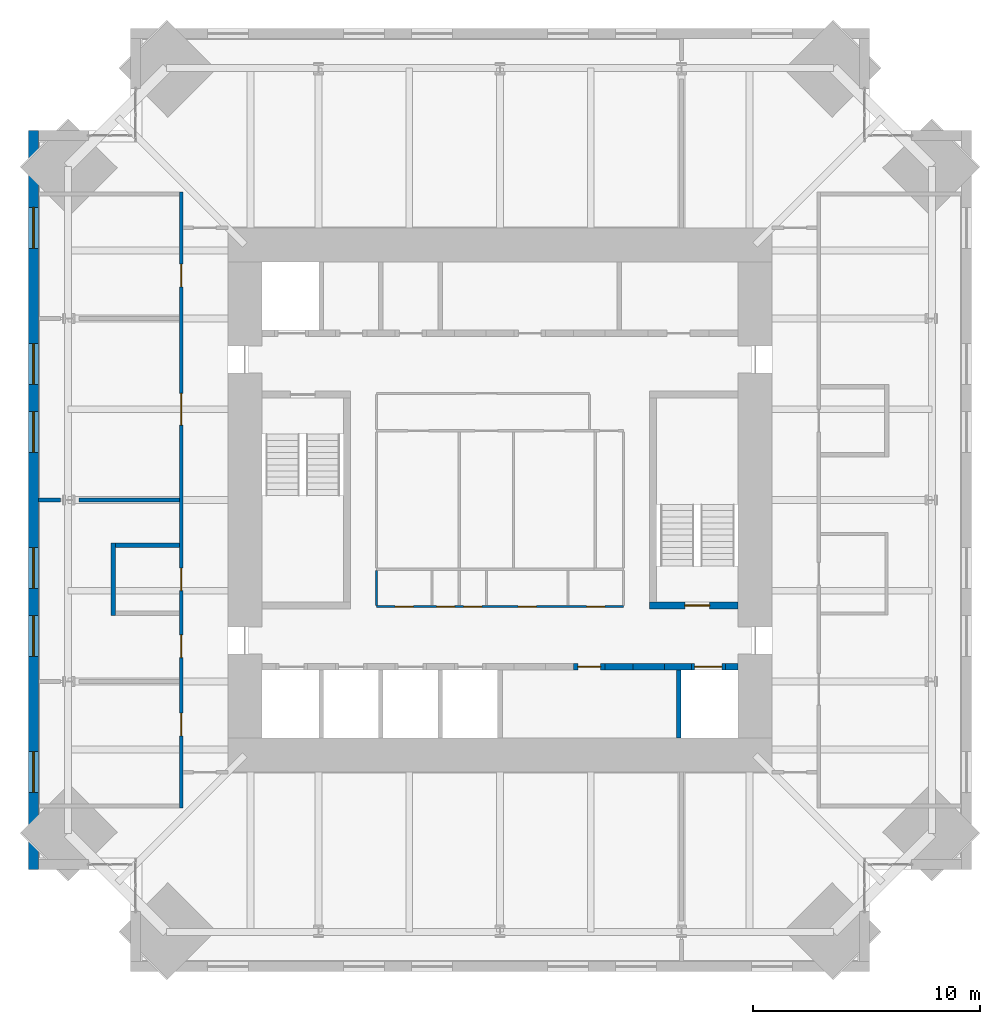
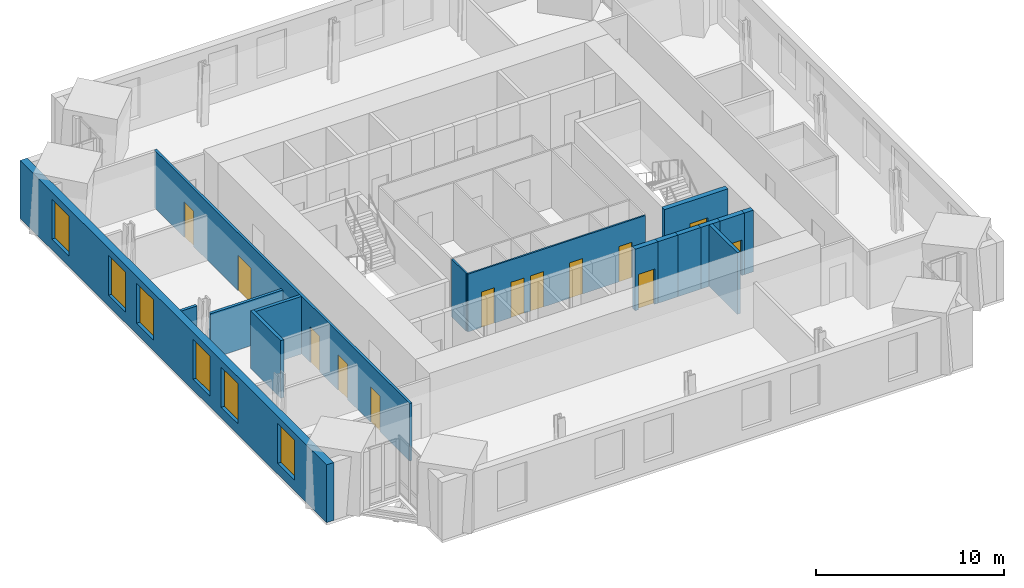
# One storey, part 11 of 15: 16 walls, 13 doors, 6 windows, 19 openings.
"""IFC4 building model written with IfcOpenShell, lengths in metres."""

import ifcopenshell
import ifcopenshell.guid

model = None  # the IFC model being written
_history = None  # IfcOwnerHistory: only IFC2X3 demands one
_inside = {}  # id of a spatial element -> (the spatial element, [elements in it])
_under = {}  # id of a project, library or spatial element -> (it, [spatial elements below it])
_declared = {}  # id of a project -> (the project, [libraries it declares])
_typed = {}  # id of a type object -> (the type object, [elements of that type])
_made_of = {}  # id of a material, layer set ... -> (it, [elements and type objects made of it])


def new_model(schema):
    """Start an empty IFC model of exactly this schema.

    Asked for "IFC4X3", IfcOpenShell would pick the latest addendum, in which some entities
    have other attributes; the version numbers below select the first issue.
    IFC2X3 requires an IfcOwnerHistory on every rooted entity: one is made here for all.
    """
    global model, _history
    if schema == "IFC4X3":
        model = ifcopenshell.file(schema_version=(4, 3, 0, 0))
    else:
        model = ifcopenshell.file(schema=schema)
    _inside.clear()
    _under.clear()
    _declared.clear()
    _typed.clear()
    _made_of.clear()
    _history = None
    if model.schema == "IFC2X3":
        org = make("IfcOrganization", Name="unknown")
        user = make(
            "IfcPersonAndOrganization",
            ThePerson=make("IfcPerson", FamilyName="unknown"),
            TheOrganization=org,
        )
        app = make(
            "IfcApplication",
            ApplicationDeveloper=org,
            Version="unknown",
            ApplicationFullName="unknown",
            ApplicationIdentifier="unknown",
        )
        _history = make(
            "IfcOwnerHistory",
            OwningUser=user,
            OwningApplication=app,
            ChangeAction="ADDED",
            CreationDate=0,
        )
    return model


def make(cls, **values):
    """One entity of the class cls with the attributes given. An attribute that is None is left unset."""
    return model.create_entity(
        cls, **{name: value for name, value in values.items() if value is not None}
    )


def rooted(cls, **values):
    """An entity with a GlobalId (a new one), such as an element, a storey or a relation."""
    return make(cls, GlobalId=ifcopenshell.guid.new(), OwnerHistory=_history, **values)


def si_unit(unit_type, name, prefix=None):
    """IfcSIUnit, for example si_unit("LENGTHUNIT", "METRE", prefix="MILLI")."""
    return make("IfcSIUnit", UnitType=unit_type, Prefix=prefix, Name=name)


def assignment(units):
    """IfcUnitAssignment: the units of a project."""
    return None if units is None else make("IfcUnitAssignment", Units=units)


def point(xyz):
    """IfcCartesianPoint."""
    return None if xyz is None else make("IfcCartesianPoint", Coordinates=xyz)


def direction(xyz):
    """IfcDirection."""
    return None if xyz is None else make("IfcDirection", DirectionRatios=xyz)


def frame(location, z_axis=None, x_axis=None):
    """IfcAxis2Placement3D, a coordinate frame: its origin and axes. An axis left out is left unset."""
    return make(
        "IfcAxis2Placement3D",
        Location=point(location),
        Axis=direction(z_axis),
        RefDirection=direction(x_axis),
    )


def frame_2d(location, x_axis=None):
    """IfcAxis2Placement2D, a coordinate frame in the plane: its origin and x axis."""
    return make(
        "IfcAxis2Placement2D", Location=point(location), RefDirection=direction(x_axis)
    )


def origin():
    """The frame at (0, 0, 0) with its axes left unset."""
    return frame((0.0, 0.0, 0.0))


def place(relative_to, where):
    """IfcLocalPlacement: puts the frame where relative to a parent placement (None: the world)."""
    return make(
        "IfcLocalPlacement", PlacementRelTo=relative_to, RelativePlacement=where
    )


def context(
    kind, dimensions, precision=None, world=None, true_north=None, identifier=None
):
    """IfcGeometricRepresentationContext, for example the 3D "Model" context."""
    return make(
        "IfcGeometricRepresentationContext",
        ContextIdentifier=identifier,
        ContextType=kind,
        CoordinateSpaceDimension=dimensions,
        Precision=precision,
        WorldCoordinateSystem=world,
        TrueNorth=true_north,
    )


def subcontext(parent, identifier, kind, view, scale=None):
    """IfcGeometricRepresentationSubContext, for example "Body" below "Model"."""
    return make(
        "IfcGeometricRepresentationSubContext",
        ContextIdentifier=identifier,
        ContextType=kind,
        ParentContext=parent,
        TargetScale=scale,
        TargetView=view,
    )


def project(units=None, contexts=None):
    """IfcProject with its units and contexts."""
    return rooted(
        "IfcProject",
        Name="project",
        RepresentationContexts=contexts,
        UnitsInContext=assignment(units),
    )


def spatial(cls, under=None, at=None, **own):
    """A site, building, storey or space (cls), placed at a placement, below another one or the project."""
    s = rooted(cls, ObjectPlacement=at, **own)
    if under is not None:
        _under.setdefault(under.id(), (under, []))[1].append(s)
    return s


def profile(cls, at=None, kind="AREA", **sizes):
    """A parametric profile (cls). Its sizes go by their IFC names, for example OverallWidth=200.0."""
    return make(cls, ProfileType=kind, Position=at, **sizes)


def rectangle(**sizes):
    """IfcRectangleProfileDef."""
    return profile("IfcRectangleProfileDef", **sizes)


def extrude(swept, where, along, depth):
    """IfcExtrudedAreaSolid: the profile swept, set in the frame where, extruded along a direction by depth."""
    return make(
        "IfcExtrudedAreaSolid",
        SweptArea=swept,
        Position=where,
        ExtrudedDirection=direction(along),
        Depth=depth,
    )


def shape(context_of_items, identifier, shape_type, items):
    """IfcShapeRepresentation: the items that make up one representation, for example the "Body"."""
    return make(
        "IfcShapeRepresentation",
        ContextOfItems=context_of_items,
        RepresentationIdentifier=identifier,
        RepresentationType=shape_type,
        Items=items,
    )


def material(Name=None, Category=None):
    """IfcMaterial."""
    return make("IfcMaterial", Name=Name, Category=Category)


def layer(
    of_material, thickness, ventilated=None, Name=None, Category=None, Priority=None
):
    """IfcMaterialLayer: one layer of a wall or slab, of a material (None: an air gap)."""
    return make(
        "IfcMaterialLayer",
        Material=of_material,
        LayerThickness=thickness,
        IsVentilated=ventilated,
        Name=Name,
        Category=Category,
        Priority=Priority,
    )


def layer_set(layers, Name=None):
    """IfcMaterialLayerSet."""
    return make("IfcMaterialLayerSet", MaterialLayers=layers, LayerSetName=Name)


def made_of(thing, what):
    """Note that an element or type object is made of a material, layer set ...; save() writes the relation."""
    if what is not None:
        _made_of.setdefault(what.id(), (what, []))[1].append(thing)
    return thing


def type_object(cls, material=None, **own):
    """A type object (cls), such as IfcWallType, which elements share."""
    return made_of(rooted(cls, **own), material)


def element(
    cls,
    number,
    at=None,
    inside=None,
    cuts=None,
    type_object=None,
    material=None,
    context=None,
    identifier="Body",
    shape_type=None,
    held_by="IfcProductDefinitionShape",
    body=None,
    shapes=None,
    **own,
):
    """One element of the class cls, such as IfcWall. Its Tag is "e" and its number.

    at: its placement. inside: the storey or other place that contains it. cuts: it is an
    opening in that element (IfcRelVoidsElement). A single representation is given by context,
    identifier, shape_type and body (its items); several are given by shapes. held_by: the class
    of the entity that holds the representations. save() writes the other relations.
    """
    e = rooted(cls, Tag="e%d" % number, ObjectPlacement=at, **own)
    if body is not None:
        shapes = [shape(context, identifier, shape_type, body)]
    if shapes is not None:
        e.Representation = make(held_by, Representations=shapes)
    if inside is not None:
        _inside.setdefault(inside.id(), (inside, []))[1].append(e)
    if cuts is not None:
        rooted(
            "IfcRelVoidsElement", RelatingBuildingElement=cuts, RelatedOpeningElement=e
        )
    if type_object is not None:
        _typed.setdefault(type_object.id(), (type_object, []))[1].append(e)
    return made_of(e, material)


def fill(opening, filler):
    """IfcRelFillsElement: the door or window that sits in an opening."""
    return rooted(
        "IfcRelFillsElement",
        RelatingOpeningElement=opening,
        RelatedBuildingElement=filler,
    )


def aggregate(whole, parts):
    """IfcRelAggregates: a whole, such as a stair, and the parts it consists of."""
    return rooted("IfcRelAggregates", RelatingObject=whole, RelatedObjects=parts)


def save(model, path):
    """Write the relations noted so far, then the file.

    IfcRelAggregates (storeys below a building ...), IfcRelContainedInSpatialStructure (elements
    in a storey), IfcRelDefinesByType, IfcRelAssociatesMaterial and IfcRelDeclares: one each for
    every whole, place, type object, material and project.
    """
    for whole, parts in _under.values():
        aggregate(whole, parts)
    for where, things in _inside.values():
        rooted(
            "IfcRelContainedInSpatialStructure",
            RelatedElements=things,
            RelatingStructure=where,
        )
    for kind, things in _typed.values():
        rooted("IfcRelDefinesByType", RelatedObjects=things, RelatingType=kind)
    for what, things in _made_of.values():
        rooted("IfcRelAssociatesMaterial", RelatedObjects=things, RelatingMaterial=what)
    for by, libraries in _declared.values():
        rooted("IfcRelDeclares", RelatingContext=by, RelatedDefinitions=libraries)
    model.write(path)


model = new_model("IFC4")

# Units and contexts
model_context = context("Model", 3, precision=1e-05, world=origin(), true_north=direction((0.0, 1.0)))
body_context = subcontext(model_context, "Body", "Model", "MODEL_VIEW")
ifc_project = project(units=[si_unit("LENGTHUNIT", "METRE"), si_unit("AREAUNIT", "SQUARE_METRE"), si_unit("VOLUMEUNIT", "CUBIC_METRE"), si_unit("PLANEANGLEUNIT", "RADIAN"), si_unit("MASSUNIT", "GRAM", prefix="KILO")], contexts=[model_context])

# Site, building, storey
site_placement = place(None, origin())
site = spatial("IfcSite", under=ifc_project, at=site_placement, CompositionType="ELEMENT")
building_placement = place(site_placement, origin())
building = spatial("IfcBuilding", under=site, at=building_placement, Name="Peilmerk Tower", CompositionType="ELEMENT")
storey_placement = place(building_placement, frame((0.0, 0.0, 293.800048828125)))
storey = spatial("IfcBuildingStorey", under=building, at=storey_placement, Name="L66", CompositionType="ELEMENT", Elevation=293.800048828125)

# Wall, openings, windows
ifc_material_1 = material(Name="Precast concrete C45/55, board-marked finish", Category="concrete")
ifc_layer_1 = layer(ifc_material_1, 0.449951171875)
ifc_layer_set_1 = layer_set([ifc_layer_1], Name="Precast concrete C45/55, board-marked finish")
wall_type_1 = type_object("IfcWallType", Name="EW1 450 precast concrete facade wall, board-marked", PredefinedType="SOLIDWALL", material=ifc_layer_set_1)
wall_1_placement = place(storey_placement, frame((-20.574951171875, 16.300048828125, 0.0), z_axis=(0.0, 0.0, 1.0), x_axis=(0.0, -1.0, 0.0)))
wall_1 = element("IfcWall", 1, at=wall_1_placement, inside=storey, type_object=wall_type_1, Name="Facade wall W L66", PredefinedType="SOLIDWALL", context=body_context, shape_type="SweptSolid", body=[
    extrude(rectangle(XDim=32.60009765625, YDim=0.449951171875, at=frame_2d((16.300048828125, 0.0))), origin(), (0.0, 0.0, 1.0), 3.75),
])
opening_1_placement = place(wall_1_placement, frame((3.39990234375, 0.0, 0.699951171875)))
opening_1 = element("IfcOpeningElement", 2, at=opening_1_placement, cuts=wall_1, Name="Opening W1", PredefinedType="OPENING", context=body_context, shape_type="SweptSolid", body=[
    extrude(rectangle(XDim=1.800048828125, YDim=2.60009765625, at=frame_2d((0.89990234375, 1.300048828125))), frame((0.0, 0.23486328125, 0.0), z_axis=(0.0, -1.0, 0.0), x_axis=(1.0, 0.0, 0.0)), (0.0, 0.0, 1.0), 0.469970703125),
])
opening_2_placement = place(wall_1_placement, frame((9.39990234375, 0.0, 0.699951171875)))
opening_2 = element("IfcOpeningElement", 3, at=opening_2_placement, cuts=wall_1, Name="Opening W1", PredefinedType="OPENING", context=body_context, shape_type="SweptSolid", body=[
    extrude(rectangle(XDim=1.800048828125, YDim=2.60009765625, at=frame_2d((0.89990234375, 1.300048828125))), frame((0.0, 0.23486328125, 0.0), z_axis=(0.0, -1.0, 0.0), x_axis=(1.0, 0.0, 0.0)), (0.0, 0.0, 1.0), 0.469970703125),
])
opening_3_placement = place(wall_1_placement, frame((12.39990234375, 0.0, 0.699951171875)))
opening_3 = element("IfcOpeningElement", 4, at=opening_3_placement, cuts=wall_1, Name="Opening W1", PredefinedType="OPENING", context=body_context, shape_type="SweptSolid", body=[
    extrude(rectangle(XDim=1.800048828125, YDim=2.60009765625, at=frame_2d((0.89990234375, 1.300048828125))), frame((0.0, 0.23486328125, 0.0), z_axis=(0.0, -1.0, 0.0), x_axis=(1.0, 0.0, 0.0)), (0.0, 0.0, 1.0), 0.469970703125),
])
opening_4_placement = place(wall_1_placement, frame((18.39990234375, 0.0, 0.699951171875)))
opening_4 = element("IfcOpeningElement", 5, at=opening_4_placement, cuts=wall_1, Name="Opening W1", PredefinedType="OPENING", context=body_context, shape_type="SweptSolid", body=[
    extrude(rectangle(XDim=1.800048828125, YDim=2.60009765625, at=frame_2d((0.89990234375, 1.300048828125))), frame((0.0, 0.23486328125, 0.0), z_axis=(0.0, -1.0, 0.0), x_axis=(1.0, 0.0, 0.0)), (0.0, 0.0, 1.0), 0.469970703125),
])
opening_5_placement = place(wall_1_placement, frame((21.39990234375, 0.0, 0.699951171875)))
opening_5 = element("IfcOpeningElement", 6, at=opening_5_placement, cuts=wall_1, Name="Opening W1", PredefinedType="OPENING", context=body_context, shape_type="SweptSolid", body=[
    extrude(rectangle(XDim=1.800048828125, YDim=2.60009765625, at=frame_2d((0.89990234375, 1.300048828125))), frame((0.0, 0.23486328125, 0.0), z_axis=(0.0, -1.0, 0.0), x_axis=(1.0, 0.0, 0.0)), (0.0, 0.0, 1.0), 0.469970703125),
])
opening_6_placement = place(wall_1_placement, frame((27.39990234375, 0.0, 0.699951171875)))
opening_6 = element("IfcOpeningElement", 7, at=opening_6_placement, cuts=wall_1, Name="Opening W1", PredefinedType="OPENING", context=body_context, shape_type="SweptSolid", body=[
    extrude(rectangle(XDim=1.800048828125, YDim=2.60009765625, at=frame_2d((0.89990234375, 1.300048828125))), frame((0.0, 0.23486328125, 0.0), z_axis=(0.0, -1.0, 0.0), x_axis=(1.0, 0.0, 0.0)), (0.0, 0.0, 1.0), 0.469970703125),
])
ifc_material_2 = material(Name="Aluminium frame, clear double glazing", Category="aluminium")
window_type = type_object("IfcWindowType", Name="W1 1800x2600 office window", PartitioningType="SINGLE_PANEL", PredefinedType="WINDOW", material=ifc_material_2)
window_1_placement = place(opening_1_placement, origin())
window_1 = element("IfcWindow", 8, at=window_1_placement, inside=storey, type_object=window_type, Name="Window W1 L66", OverallHeight=2.60009765625, OverallWidth=1.800048828125, PartitioningType="SINGLE_PANEL", PredefinedType="WINDOW", context=body_context, shape_type="SweptSolid", body=[
    extrude(rectangle(XDim=1.800048828125, YDim=2.60009765625, at=frame_2d((0.89990234375, 1.300048828125))), frame((0.0, 0.030029296875, 0.0), z_axis=(0.0, -1.0, 0.0), x_axis=(1.0, 0.0, 0.0)), (0.0, 0.0, 1.0), 0.06005859375),
])
fill(opening_1, window_1)
window_2_placement = place(opening_2_placement, origin())
window_2 = element("IfcWindow", 9, at=window_2_placement, inside=storey, type_object=window_type, Name="Window W1 L66", OverallHeight=2.60009765625, OverallWidth=1.800048828125, PartitioningType="SINGLE_PANEL", PredefinedType="WINDOW", context=body_context, shape_type="SweptSolid", body=[
    extrude(rectangle(XDim=1.800048828125, YDim=2.60009765625, at=frame_2d((0.89990234375, 1.300048828125))), frame((0.0, 0.030029296875, 0.0), z_axis=(0.0, -1.0, 0.0), x_axis=(1.0, 0.0, 0.0)), (0.0, 0.0, 1.0), 0.06005859375),
])
fill(opening_2, window_2)
window_3_placement = place(opening_3_placement, origin())
window_3 = element("IfcWindow", 10, at=window_3_placement, inside=storey, type_object=window_type, Name="Window W1 L66", OverallHeight=2.60009765625, OverallWidth=1.800048828125, PartitioningType="SINGLE_PANEL", PredefinedType="WINDOW", context=body_context, shape_type="SweptSolid", body=[
    extrude(rectangle(XDim=1.800048828125, YDim=2.60009765625, at=frame_2d((0.89990234375, 1.300048828125))), frame((0.0, 0.030029296875, 0.0), z_axis=(0.0, -1.0, 0.0), x_axis=(1.0, 0.0, 0.0)), (0.0, 0.0, 1.0), 0.06005859375),
])
fill(opening_3, window_3)
window_4_placement = place(opening_4_placement, origin())
window_4 = element("IfcWindow", 11, at=window_4_placement, inside=storey, type_object=window_type, Name="Window W1 L66", OverallHeight=2.60009765625, OverallWidth=1.800048828125, PartitioningType="SINGLE_PANEL", PredefinedType="WINDOW", context=body_context, shape_type="SweptSolid", body=[
    extrude(rectangle(XDim=1.800048828125, YDim=2.60009765625, at=frame_2d((0.89990234375, 1.300048828125))), frame((0.0, 0.030029296875, 0.0), z_axis=(0.0, -1.0, 0.0), x_axis=(1.0, 0.0, 0.0)), (0.0, 0.0, 1.0), 0.06005859375),
])
fill(opening_4, window_4)
window_5_placement = place(opening_5_placement, origin())
window_5 = element("IfcWindow", 12, at=window_5_placement, inside=storey, type_object=window_type, Name="Window W1 L66", OverallHeight=2.60009765625, OverallWidth=1.800048828125, PartitioningType="SINGLE_PANEL", PredefinedType="WINDOW", context=body_context, shape_type="SweptSolid", body=[
    extrude(rectangle(XDim=1.800048828125, YDim=2.60009765625, at=frame_2d((0.89990234375, 1.300048828125))), frame((0.0, 0.030029296875, 0.0), z_axis=(0.0, -1.0, 0.0), x_axis=(1.0, 0.0, 0.0)), (0.0, 0.0, 1.0), 0.06005859375),
])
fill(opening_5, window_5)
window_6_placement = place(opening_6_placement, origin())
window_6 = element("IfcWindow", 13, at=window_6_placement, inside=storey, type_object=window_type, Name="Window W1 L66", OverallHeight=2.60009765625, OverallWidth=1.800048828125, PartitioningType="SINGLE_PANEL", PredefinedType="WINDOW", context=body_context, shape_type="SweptSolid", body=[
    extrude(rectangle(XDim=1.800048828125, YDim=2.60009765625, at=frame_2d((0.89990234375, 1.300048828125))), frame((0.0, 0.030029296875, 0.0), z_axis=(0.0, -1.0, 0.0), x_axis=(1.0, 0.0, 0.0)), (0.0, 0.0, 1.0), 0.06005859375),
])
fill(opening_6, window_6)

# Wall, openings, doors
ifc_material_3 = material(Name="Calcium silicate block", Category="masonry")
ifc_layer_2 = layer(ifc_material_3, 0.14990234375)
ifc_layer_set_2 = layer_set([ifc_layer_2], Name="Calcium silicate block")
wall_type_2 = type_object("IfcWallType", Name="IW1 150 corridor partition, EI 60", PredefinedType="PARTITIONING", material=ifc_layer_set_2)
wall_2_placement = place(storey_placement, frame((-14.050048828125, 13.574951171875, 0.0), z_axis=(0.0, 0.0, 1.0), x_axis=(0.0, -1.0, 0.0)))
wall_2 = element("IfcWall", 14, at=wall_2_placement, inside=storey, type_object=wall_type_2, Name="Corridor wall W L66", PredefinedType="PARTITIONING", context=body_context, shape_type="SweptSolid", body=[
    extrude(rectangle(XDim=27.14990234375, YDim=0.14990234375, at=frame_2d((13.574951171875, 0.0))), origin(), (0.0, 0.0, 1.0), 3.75),
])
opening_7_placement = place(wall_2_placement, frame((22.97509765625, 0.0, 0.0)))
opening_7 = element("IfcOpeningElement", 15, at=opening_7_placement, cuts=wall_2, Name="Opening D1", PredefinedType="OPENING", context=body_context, shape_type="SweptSolid", body=[
    extrude(rectangle(XDim=1.0, YDim=2.300048828125, at=frame_2d((0.5, 1.14990234375))), frame((0.0, 0.0849609375, 0.0), z_axis=(0.0, -1.0, 0.0), x_axis=(1.0, 0.0, 0.0)), (0.0, 0.0, 1.0), 0.169921875),
])
opening_8_placement = place(wall_2_placement, frame((19.52490234375, 0.0, 0.0)))
opening_8 = element("IfcOpeningElement", 16, at=opening_8_placement, cuts=wall_2, Name="Opening D1", PredefinedType="OPENING", context=body_context, shape_type="SweptSolid", body=[
    extrude(rectangle(XDim=1.0, YDim=2.300048828125, at=frame_2d((0.5, 1.14990234375))), frame((0.0, 0.0849609375, 0.0), z_axis=(0.0, -1.0, 0.0), x_axis=(1.0, 0.0, 0.0)), (0.0, 0.0, 1.0), 0.169921875),
])
opening_9_placement = place(wall_2_placement, frame((8.875, 0.0, 0.0)))
opening_9 = element("IfcOpeningElement", 17, at=opening_9_placement, cuts=wall_2, Name="Opening D8", PredefinedType="OPENING", context=body_context, shape_type="SweptSolid", body=[
    extrude(rectangle(XDim=1.39990234375, YDim=2.300048828125, at=frame_2d((0.699951171875, 1.14990234375))), frame((0.0, 0.0849609375, 0.0), z_axis=(0.0, -1.0, 0.0), x_axis=(1.0, 0.0, 0.0)), (0.0, 0.0, 1.0), 0.169921875),
])
opening_10_placement = place(wall_2_placement, frame((3.175048828125, 0.0, 0.0)))
opening_10 = element("IfcOpeningElement", 18, at=opening_10_placement, cuts=wall_2, Name="Opening D1", PredefinedType="OPENING", context=body_context, shape_type="SweptSolid", body=[
    extrude(rectangle(XDim=1.0, YDim=2.300048828125, at=frame_2d((0.5, 1.14990234375))), frame((0.0, 0.0849609375, 0.0), z_axis=(0.0, -1.0, 0.0), x_axis=(1.0, 0.0, 0.0)), (0.0, 0.0, 1.0), 0.169921875),
])
opening_11_placement = place(wall_2_placement, frame((16.574951171875, 0.0, 0.0)))
opening_11 = element("IfcOpeningElement", 19, at=opening_11_placement, cuts=wall_2, Name="Opening D1", PredefinedType="OPENING", context=body_context, shape_type="SweptSolid", body=[
    extrude(rectangle(XDim=1.0, YDim=2.300048828125, at=frame_2d((0.5, 1.14990234375))), frame((0.0, 0.0849609375, 0.0), z_axis=(0.0, -1.0, 0.0), x_axis=(1.0, 0.0, 0.0)), (0.0, 0.0, 1.0), 0.169921875),
])
ifc_material_4 = material(Name="Timber door in steel frame", Category="steel")
door_type_1 = type_object("IfcDoorType", Name="D1 1000x2300 room door, EI2 30", OperationType="SINGLE_SWING_LEFT", PredefinedType="DOOR", material=ifc_material_4)
door_1_placement = place(opening_7_placement, frame((1.0, 0.0, 0.0), z_axis=(0.0, 0.0, 1.0), x_axis=(-1.0, 0.0, 0.0)))
door_1 = element("IfcDoor", 20, at=door_1_placement, inside=storey, type_object=door_type_1, Name="Door Executive office L66", OperationType="SINGLE_SWING_LEFT", OverallHeight=2.300048828125, OverallWidth=1.0, PredefinedType="DOOR", context=body_context, shape_type="SweptSolid", body=[
    extrude(rectangle(XDim=1.0, YDim=2.300048828125, at=frame_2d((0.5, 1.14990234375))), frame((0.0, 0.02490234375, 0.0), z_axis=(0.0, -1.0, 0.0), x_axis=(1.0, 0.0, 0.0)), (0.0, 0.0, 1.0), 0.050048828125),
])
fill(opening_7, door_1)
door_2_placement = place(opening_8_placement, frame((1.0, 0.0, 0.0), z_axis=(0.0, 0.0, 1.0), x_axis=(-1.0, 0.0, 0.0)))
door_2 = element("IfcDoor", 21, at=door_2_placement, inside=storey, type_object=door_type_1, Name="Door Executive office L66", OperationType="SINGLE_SWING_LEFT", OverallHeight=2.300048828125, OverallWidth=1.0, PredefinedType="DOOR", context=body_context, shape_type="SweptSolid", body=[
    extrude(rectangle(XDim=1.0, YDim=2.300048828125, at=frame_2d((0.5, 1.14990234375))), frame((0.0, 0.02490234375, 0.0), z_axis=(0.0, -1.0, 0.0), x_axis=(1.0, 0.0, 0.0)), (0.0, 0.0, 1.0), 0.050048828125),
])
fill(opening_8, door_2)
door_3_placement = place(opening_10_placement, frame((1.0, 0.0, 0.0), z_axis=(0.0, 0.0, 1.0), x_axis=(-1.0, 0.0, 0.0)))
door_3 = element("IfcDoor", 22, at=door_3_placement, inside=storey, type_object=door_type_1, Name="Door Executive office L66", OperationType="SINGLE_SWING_LEFT", OverallHeight=2.300048828125, OverallWidth=1.0, PredefinedType="DOOR", context=body_context, shape_type="SweptSolid", body=[
    extrude(rectangle(XDim=1.0, YDim=2.300048828125, at=frame_2d((0.5, 1.14990234375))), frame((0.0, 0.02490234375, 0.0), z_axis=(0.0, -1.0, 0.0), x_axis=(1.0, 0.0, 0.0)), (0.0, 0.0, 1.0), 0.050048828125),
])
fill(opening_10, door_3)
door_4_placement = place(opening_11_placement, frame((1.0, 0.0, 0.0), z_axis=(0.0, 0.0, 1.0), x_axis=(-1.0, 0.0, 0.0)))
door_4 = element("IfcDoor", 23, at=door_4_placement, inside=storey, type_object=door_type_1, Name="Door Staff room L66", OperationType="SINGLE_SWING_LEFT", OverallHeight=2.300048828125, OverallWidth=1.0, PredefinedType="DOOR", context=body_context, shape_type="SweptSolid", body=[
    extrude(rectangle(XDim=1.0, YDim=2.300048828125, at=frame_2d((0.5, 1.14990234375))), frame((0.0, 0.02490234375, 0.0), z_axis=(0.0, -1.0, 0.0), x_axis=(1.0, 0.0, 0.0)), (0.0, 0.0, 1.0), 0.050048828125),
])
fill(opening_11, door_4)
door_type_2 = type_object("IfcDoorType", Name="D8 1400x2300 leaf-and-a-half door, EI2 30", OperationType="DOUBLE_DOOR_SINGLE_SWING", PredefinedType="DOOR", material=ifc_material_4)
door_5_placement = place(opening_9_placement, frame((1.39990234375, 0.0, 0.0), z_axis=(0.0, 0.0, 1.0), x_axis=(-1.0, 0.0, 0.0)))
door_5 = element("IfcDoor", 24, at=door_5_placement, inside=storey, type_object=door_type_2, Name="Door Board room L66", OperationType="DOUBLE_DOOR_SINGLE_SWING", OverallHeight=2.300048828125, OverallWidth=1.39990234375, PredefinedType="DOOR", context=body_context, shape_type="SweptSolid", body=[
    extrude(rectangle(XDim=1.39990234375, YDim=2.300048828125, at=frame_2d((0.699951171875, 1.14990234375))), frame((0.0, 0.02490234375, 0.0), z_axis=(0.0, -1.0, 0.0), x_axis=(1.0, 0.0, 0.0)), (0.0, 0.0, 1.0), 0.050048828125),
])
fill(opening_9, door_5)

# Walls
ifc_layer_3 = layer(ifc_material_3, 0.199951171875)
ifc_layer_set_3 = layer_set([ifc_layer_3], Name="Calcium silicate block")
wall_type_3 = type_object("IfcWallType", Name="IW2 200 room separating wall, EI 120", PredefinedType="PARTITIONING", material=ifc_layer_set_3)
wall_3_placement = place(storey_placement, frame((-17.050048828125, -5.10009765625, 0.0), z_axis=(0.0, 0.0, 1.0), x_axis=(0.0, 1.0, 0.0)))
element("IfcWall", 25, at=wall_3_placement, inside=storey, type_object=wall_type_3, Name="Room separating wall Staff room L66", PredefinedType="PARTITIONING", context=body_context, shape_type="SweptSolid", body=[
    extrude(rectangle(XDim=3.2001953125, YDim=0.199951171875, at=frame_2d((1.60009765625, 0.0))), origin(), (0.0, 0.0, 1.0), 3.75),
])
wall_4_placement = place(storey_placement, frame((-14.125, -2.0, 0.0), z_axis=(0.0, 0.0, 1.0), x_axis=(-1.0, 0.0, 0.0)))
element("IfcWall", 26, at=wall_4_placement, inside=storey, type_object=wall_type_3, Name="Room separating wall Staff room L66", PredefinedType="PARTITIONING", context=body_context, shape_type="SweptSolid", body=[
    extrude(rectangle(XDim=2.824951171875, YDim=0.199951171875, at=frame_2d((1.41259765625, 0.0))), origin(), (0.0, 0.0, 1.0), 3.75),
])

# Wall, opening, door
ifc_material_5 = material(Name="Concrete C35/45", Category="concrete")
ifc_layer_4 = layer(ifc_material_5, 0.300048828125)
ifc_layer_set_4 = layer_set([ifc_layer_4], Name="Concrete C35/45")
wall_type_4 = type_object("IfcWallType", Name="IW3 300 concrete stair enclosure wall, EI 120", PredefinedType="SOLIDWALL", material=ifc_layer_set_4)
wall_5_placement = place(storey_placement, frame((10.5, -4.64990234375, 0.0), z_axis=(0.0, 0.0, 1.0), x_axis=(-1.0, 0.0, 0.0)))
wall_5 = element("IfcWall", 27, at=wall_5_placement, inside=storey, type_object=wall_type_4, Name="Stair 2 enclosure L66", PredefinedType="SOLIDWALL", context=body_context, shape_type="SweptSolid", body=[
    extrude(rectangle(XDim=3.89990234375, YDim=0.300048828125, at=frame_2d((1.949951171875, 0.0))), origin(), (0.0, 0.0, 1.0), 3.75),
])
opening_12_placement = place(wall_5_placement, frame((1.25, 0.0, 0.0)))
opening_12 = element("IfcOpeningElement", 28, at=opening_12_placement, cuts=wall_5, Name="Opening D4", PredefinedType="OPENING", context=body_context, shape_type="SweptSolid", body=[
    extrude(rectangle(XDim=1.10009765625, YDim=2.300048828125, at=frame_2d((0.550048828125, 1.14990234375))), frame((0.0, 0.159912109375, 0.0), z_axis=(0.0, -1.0, 0.0), x_axis=(1.0, 0.0, 0.0)), (0.0, 0.0, 1.0), 0.320068359375),
])
ifc_material_6 = material(Name="Steel door in steel frame", Category="steel")
door_type_3 = type_object("IfcDoorType", Name="D4 1100x2300 stair door, EI2 60", OperationType="SINGLE_SWING_RIGHT", PredefinedType="DOOR", material=ifc_material_6)
door_6_placement = place(opening_12_placement, frame((1.10009765625, 0.0, 0.0), z_axis=(0.0, 0.0, 1.0), x_axis=(-1.0, 0.0, 0.0)))
door_6 = element("IfcDoor", 29, at=door_6_placement, inside=storey, type_object=door_type_3, Name="Stair 2 door L66", OperationType="SINGLE_SWING_RIGHT", OverallHeight=2.300048828125, OverallWidth=1.10009765625, PredefinedType="DOOR", context=body_context, shape_type="SweptSolid", body=[
    extrude(rectangle(XDim=1.10009765625, YDim=2.300048828125, at=frame_2d((0.550048828125, 1.14990234375))), frame((0.0, 0.02490234375, 0.0), z_axis=(0.0, -1.0, 0.0), x_axis=(1.0, 0.0, 0.0)), (0.0, 0.0, 1.0), 0.050048828125),
])
fill(opening_12, door_6)

# Wall, openings, doors
ifc_material_7 = material(Name="Calcium silicate board on steel studs", Category="steel")
ifc_layer_5 = layer(ifc_material_7, 0.10009765625)
ifc_layer_set_5 = layer_set([ifc_layer_5], Name="Calcium silicate board on steel studs")
wall_type_5 = type_object("IfcWallType", Name="IW5 100 riser enclosure wall, EI 60", PredefinedType="PARTITIONING", material=ifc_layer_set_5)
wall_6_placement = place(storey_placement, frame((5.449951171875, -4.699951171875, 0.0), z_axis=(0.0, 0.0, 1.0), x_axis=(-1.0, 0.0, 0.0)))
wall_6 = element("IfcWall", 30, at=wall_6_placement, inside=storey, type_object=wall_type_5, Name="Riser wall L66", PredefinedType="PARTITIONING", context=body_context, shape_type="SweptSolid", body=[
    extrude(rectangle(XDim=10.89990234375, YDim=0.10009765625, at=frame_2d((5.449951171875, 0.0))), origin(), (0.0, 0.0, 1.0), 3.75),
])
opening_13_placement = place(wall_6_placement, frame((9.27490234375, 0.0, 0.0)))
opening_13 = element("IfcOpeningElement", 31, at=opening_13_placement, cuts=wall_6, Name="Opening D7", PredefinedType="OPENING", context=body_context, shape_type="SweptSolid", body=[
    extrude(rectangle(XDim=0.800048828125, YDim=2.300048828125, at=frame_2d((0.39990234375, 1.14990234375))), frame((0.0, 0.06005859375, 0.0), z_axis=(0.0, -1.0, 0.0), x_axis=(1.0, 0.0, 0.0)), (0.0, 0.0, 1.0), 0.1201171875),
])
opening_14_placement = place(wall_6_placement, frame((7.449951171875, 0.0, 0.0)))
opening_14 = element("IfcOpeningElement", 32, at=opening_14_placement, cuts=wall_6, Name="Opening D7", PredefinedType="OPENING", context=body_context, shape_type="SweptSolid", body=[
    extrude(rectangle(XDim=0.800048828125, YDim=2.300048828125, at=frame_2d((0.39990234375, 1.14990234375))), frame((0.0, 0.06005859375, 0.0), z_axis=(0.0, -1.0, 0.0), x_axis=(1.0, 0.0, 0.0)), (0.0, 0.0, 1.0), 0.1201171875),
])
opening_15_placement = place(wall_6_placement, frame((6.25, 0.0, 0.0)))
opening_15 = element("IfcOpeningElement", 33, at=opening_15_placement, cuts=wall_6, Name="Opening D7", PredefinedType="OPENING", context=body_context, shape_type="SweptSolid", body=[
    extrude(rectangle(XDim=0.800048828125, YDim=2.300048828125, at=frame_2d((0.39990234375, 1.14990234375))), frame((0.0, 0.06005859375, 0.0), z_axis=(0.0, -1.0, 0.0), x_axis=(1.0, 0.0, 0.0)), (0.0, 0.0, 1.0), 0.1201171875),
])
opening_16_placement = place(wall_6_placement, frame((3.85009765625, 0.0, 0.0)))
opening_16 = element("IfcOpeningElement", 34, at=opening_16_placement, cuts=wall_6, Name="Opening D7", PredefinedType="OPENING", context=body_context, shape_type="SweptSolid", body=[
    extrude(rectangle(XDim=0.800048828125, YDim=2.300048828125, at=frame_2d((0.39990234375, 1.14990234375))), frame((0.0, 0.06005859375, 0.0), z_axis=(0.0, -1.0, 0.0), x_axis=(1.0, 0.0, 0.0)), (0.0, 0.0, 1.0), 0.1201171875),
])
opening_17_placement = place(wall_6_placement, frame((0.824951171875, 0.0, 0.0)))
opening_17 = element("IfcOpeningElement", 35, at=opening_17_placement, cuts=wall_6, Name="Opening D7", PredefinedType="OPENING", context=body_context, shape_type="SweptSolid", body=[
    extrude(rectangle(XDim=0.800048828125, YDim=2.300048828125, at=frame_2d((0.39990234375, 1.14990234375))), frame((0.0, 0.06005859375, 0.0), z_axis=(0.0, -1.0, 0.0), x_axis=(1.0, 0.0, 0.0)), (0.0, 0.0, 1.0), 0.1201171875),
])
door_type_4 = type_object("IfcDoorType", Name="D7 800x2300 riser access door, EI2 60", OperationType="SINGLE_SWING_RIGHT", PredefinedType="DOOR", material=ifc_material_6)
door_7_placement = place(opening_13_placement, frame((0.800048828125, 0.0, 0.0), z_axis=(0.0, 0.0, 1.0), x_axis=(-1.0, 0.0, 0.0)))
door_7 = element("IfcDoor", 36, at=door_7_placement, inside=storey, type_object=door_type_4, Name="Cleaner's cupboard door L66", OperationType="SINGLE_SWING_RIGHT", OverallHeight=2.300048828125, OverallWidth=0.800048828125, PredefinedType="DOOR", context=body_context, shape_type="SweptSolid", body=[
    extrude(rectangle(XDim=0.800048828125, YDim=2.300048828125, at=frame_2d((0.39990234375, 1.14990234375))), frame((0.0, 0.02490234375, 0.0), z_axis=(0.0, -1.0, 0.0), x_axis=(1.0, 0.0, 0.0)), (0.0, 0.0, 1.0), 0.050048828125),
])
fill(opening_13, door_7)
door_8_placement = place(opening_14_placement, frame((0.800048828125, 0.0, 0.0), z_axis=(0.0, 0.0, 1.0), x_axis=(-1.0, 0.0, 0.0)))
door_8 = element("IfcDoor", 37, at=door_8_placement, inside=storey, type_object=door_type_4, Name="Electrical riser door L66", OperationType="SINGLE_SWING_RIGHT", OverallHeight=2.300048828125, OverallWidth=0.800048828125, PredefinedType="DOOR", context=body_context, shape_type="SweptSolid", body=[
    extrude(rectangle(XDim=0.800048828125, YDim=2.300048828125, at=frame_2d((0.39990234375, 1.14990234375))), frame((0.0, 0.02490234375, 0.0), z_axis=(0.0, -1.0, 0.0), x_axis=(1.0, 0.0, 0.0)), (0.0, 0.0, 1.0), 0.050048828125),
])
fill(opening_14, door_8)
door_9_placement = place(opening_15_placement, frame((0.800048828125, 0.0, 0.0), z_axis=(0.0, 0.0, 1.0), x_axis=(-1.0, 0.0, 0.0)))
door_9 = element("IfcDoor", 38, at=door_9_placement, inside=storey, type_object=door_type_4, Name="Data riser door L66", OperationType="SINGLE_SWING_RIGHT", OverallHeight=2.300048828125, OverallWidth=0.800048828125, PredefinedType="DOOR", context=body_context, shape_type="SweptSolid", body=[
    extrude(rectangle(XDim=0.800048828125, YDim=2.300048828125, at=frame_2d((0.39990234375, 1.14990234375))), frame((0.0, 0.02490234375, 0.0), z_axis=(0.0, -1.0, 0.0), x_axis=(1.0, 0.0, 0.0)), (0.0, 0.0, 1.0), 0.050048828125),
])
fill(opening_15, door_9)
door_10_placement = place(opening_16_placement, frame((0.800048828125, 0.0, 0.0), z_axis=(0.0, 0.0, 1.0), x_axis=(-1.0, 0.0, 0.0)))
door_10 = element("IfcDoor", 39, at=door_10_placement, inside=storey, type_object=door_type_4, Name="Comms room door L66", OperationType="SINGLE_SWING_RIGHT", OverallHeight=2.300048828125, OverallWidth=0.800048828125, PredefinedType="DOOR", context=body_context, shape_type="SweptSolid", body=[
    extrude(rectangle(XDim=0.800048828125, YDim=2.300048828125, at=frame_2d((0.39990234375, 1.14990234375))), frame((0.0, 0.02490234375, 0.0), z_axis=(0.0, -1.0, 0.0), x_axis=(1.0, 0.0, 0.0)), (0.0, 0.0, 1.0), 0.050048828125),
])
fill(opening_16, door_10)
door_11_placement = place(opening_17_placement, frame((0.800048828125, 0.0, 0.0), z_axis=(0.0, 0.0, 1.0), x_axis=(-1.0, 0.0, 0.0)))
door_11 = element("IfcDoor", 40, at=door_11_placement, inside=storey, type_object=door_type_4, Name="Water meter room door L66", OperationType="SINGLE_SWING_RIGHT", OverallHeight=2.300048828125, OverallWidth=0.800048828125, PredefinedType="DOOR", context=body_context, shape_type="SweptSolid", body=[
    extrude(rectangle(XDim=0.800048828125, YDim=2.300048828125, at=frame_2d((0.39990234375, 1.14990234375))), frame((0.0, 0.02490234375, 0.0), z_axis=(0.0, -1.0, 0.0), x_axis=(1.0, 0.0, 0.0)), (0.0, 0.0, 1.0), 0.050048828125),
])
fill(opening_17, door_11)

# Walls
wall_7_placement = place(storey_placement, frame((-5.449951171875, -3.10009765625, 0.0), z_axis=(0.0, 0.0, 1.0), x_axis=(0.0, -1.0, 0.0)))
element("IfcWall", 41, at=wall_7_placement, inside=storey, type_object=wall_type_5, Name="Riser wall L66", PredefinedType="PARTITIONING", context=body_context, shape_type="SweptSolid", body=[
    extrude(rectangle(XDim=1.5498046875, YDim=0.10009765625, at=frame_2d((0.77490234375, 0.0))), origin(), (0.0, 0.0, 1.0), 3.75),
])
ifc_layer_6 = layer(ifc_material_3, 0.175048828125)
ifc_layer_set_6 = layer_set([ifc_layer_6], Name="Calcium silicate block")
wall_type_6 = type_object("IfcWallType", Name="IW8 175 tenant separating wall, EI 60", PredefinedType="PARTITIONING", material=ifc_layer_set_6)
wall_8_placement = place(storey_placement, frame((-14.125, 0.0, 0.0), z_axis=(0.0, 0.0, 1.0), x_axis=(-1.0, 0.0, 0.0)))
element("IfcWall", 42, at=wall_8_placement, inside=storey, type_object=wall_type_6, Name="Tenant separating wall W2 L66", PredefinedType="PARTITIONING", context=body_context, shape_type="SweptSolid", body=[
    extrude(rectangle(XDim=4.43408203125, YDim=0.175048828125, at=frame_2d((2.217041015625, 0.0))), origin(), (0.0, 0.0, 1.0), 2.93603515625),
])
wall_9_placement = place(storey_placement, frame((-19.379638671875, 0.0, 0.0), z_axis=(0.0, 0.0, 1.0), x_axis=(-1.0, 0.0, 0.0)))
element("IfcWall", 43, at=wall_9_placement, inside=storey, type_object=wall_type_6, Name="Tenant separating wall W2b L66", PredefinedType="PARTITIONING", context=body_context, shape_type="SweptSolid", body=[
    extrude(rectangle(XDim=0.970458984375, YDim=0.175048828125, at=frame_2d((0.4853515625, 0.0))), origin(), (0.0, 0.0, 1.0), 3.75),
])
ifc_layer_7 = layer(ifc_material_3, 0.199951171875)
ifc_layer_set_7 = layer_set([ifc_layer_7], Name="Calcium silicate block")
wall_type_7 = type_object("IfcWallType", Name="SH1 200 shaft dividing wall, EI 120", PredefinedType="PARTITIONING", material=ifc_layer_set_7)
wall_10_placement = place(storey_placement, frame((7.875, -10.5, 0.0), z_axis=(0.0, 0.0, 1.0), x_axis=(0.0, 1.0, 0.0)))
element("IfcWall", 44, at=wall_10_placement, inside=storey, type_object=wall_type_7, Name="Shaft wall S B1 L66", PredefinedType="PARTITIONING", context=body_context, shape_type="SweptSolid", body=[
    extrude(rectangle(XDim=3.0, YDim=0.199951171875, at=frame_2d((1.5, 0.0))), origin(), (0.0, 0.0, 1.0), 4.0),
])

# Wall, opening, door
ifc_layer_8 = layer(ifc_material_3, 0.300048828125)
ifc_layer_set_8 = layer_set([ifc_layer_8], Name="Calcium silicate block")
wall_type_8 = type_object("IfcWallType", Name="SH2 300 lift landing door panel, EI 120", PredefinedType="PARTITIONING", material=ifc_layer_set_8)
wall_11_placement = place(storey_placement, frame((3.237548828125, -7.35009765625, 0.0), z_axis=(0.0, 0.0, 1.0), x_axis=(1.0, 0.0, 0.0)))
wall_11 = element("IfcWall", 45, at=wall_11_placement, inside=storey, type_object=wall_type_8, Name="Lift door panel S B2 L66", PredefinedType="PARTITIONING", context=body_context, shape_type="SweptSolid", body=[
    extrude(rectangle(XDim=1.39990234375, YDim=0.300048828125, at=frame_2d((0.699951171875, 0.0))), origin(), (0.0, 0.0, 1.0), 4.0),
])
opening_18_placement = place(wall_11_placement, frame((0.199951171875, 0.0, 0.0)))
opening_18 = element("IfcOpeningElement", 46, at=opening_18_placement, cuts=wall_11, Name="Opening D10", PredefinedType="OPENING", context=body_context, shape_type="SweptSolid", body=[
    extrude(rectangle(XDim=1.0, YDim=2.300048828125, at=frame_2d((0.5, 1.14990234375))), frame((0.0, 0.159912109375, 0.0), z_axis=(0.0, -1.0, 0.0), x_axis=(1.0, 0.0, 0.0)), (0.0, 0.0, 1.0), 0.320068359375),
])
door_type_5 = type_object("IfcDoorType", Name="D10 1000x2300 core room door, EI2 60", OperationType="SINGLE_SWING_RIGHT", PredefinedType="DOOR", material=ifc_material_6)
door_12_placement = place(opening_18_placement, frame((1.0, 0.0, 0.0), z_axis=(0.0, 0.0, 1.0), x_axis=(-1.0, 0.0, 0.0)))
door_12 = element("IfcDoor", 47, at=door_12_placement, inside=storey, type_object=door_type_5, Name="Door Mail room L66", OperationType="SINGLE_SWING_RIGHT", OverallHeight=2.300048828125, OverallWidth=1.0, PredefinedType="DOOR", context=body_context, shape_type="SweptSolid", body=[
    extrude(rectangle(XDim=1.0, YDim=2.300048828125, at=frame_2d((0.5, 1.14990234375))), frame((0.0, 0.02490234375, 0.0), z_axis=(0.0, -1.0, 0.0), x_axis=(1.0, 0.0, 0.0)), (0.0, 0.0, 1.0), 0.050048828125),
])
fill(opening_18, door_12)

# Wall
wall_12_placement = place(storey_placement, frame((5.862548828125, -7.35009765625, 0.0), z_axis=(0.0, 0.0, 1.0), x_axis=(1.0, 0.0, 0.0)))
element("IfcWall", 48, at=wall_12_placement, inside=storey, type_object=wall_type_8, Name="Lift door panel S B1 L66", PredefinedType="PARTITIONING", context=body_context, shape_type="SweptSolid", body=[
    extrude(rectangle(XDim=1.39990234375, YDim=0.300048828125, at=frame_2d((0.699951171875, 0.0))), origin(), (0.0, 0.0, 1.0), 4.0),
])

# Wall, opening, door
wall_13_placement = place(storey_placement, frame((8.4375, -7.35009765625, 0.0), z_axis=(0.0, 0.0, 1.0), x_axis=(1.0, 0.0, 0.0)))
wall_13 = element("IfcWall", 49, at=wall_13_placement, inside=storey, type_object=wall_type_8, Name="Lift door panel S FL2 L66", PredefinedType="PARTITIONING", context=body_context, shape_type="SweptSolid", body=[
    extrude(rectangle(XDim=1.5, YDim=0.300048828125, at=frame_2d((0.75, 0.0))), origin(), (0.0, 0.0, 1.0), 4.0),
])
opening_19_placement = place(wall_13_placement, frame((0.14990234375, 0.0, 0.0)))
opening_19 = element("IfcOpeningElement", 50, at=opening_19_placement, cuts=wall_13, Name="Opening LD2", PredefinedType="OPENING", context=body_context, shape_type="SweptSolid", body=[
    extrude(rectangle(XDim=1.199951171875, YDim=2.300048828125, at=frame_2d((0.60009765625, 1.14990234375))), frame((0.0, 0.159912109375, 0.0), z_axis=(0.0, -1.0, 0.0), x_axis=(1.0, 0.0, 0.0)), (0.0, 0.0, 1.0), 0.320068359375),
])
ifc_material_8 = material(Name="Stainless steel landing door", Category="steel")
door_type_6 = type_object("IfcDoorType", Name="LD2 1200x2300 lift landing door, sliding, EI2 60", OperationType="SLIDING_TO_LEFT", PredefinedType="DOOR", material=ifc_material_8)
door_13_placement = place(opening_19_placement, origin())
door_13 = element("IfcDoor", 51, at=door_13_placement, inside=storey, type_object=door_type_6, Name="Lift landing door FL2 L66", OperationType="SLIDING_TO_LEFT", OverallHeight=2.300048828125, OverallWidth=1.199951171875, PredefinedType="DOOR", context=body_context, shape_type="SweptSolid", body=[
    extrude(rectangle(XDim=1.199951171875, YDim=2.300048828125, at=frame_2d((0.60009765625, 1.14990234375))), frame((0.0, 0.02490234375, 0.0), z_axis=(0.0, -1.0, 0.0), x_axis=(1.0, 0.0, 0.0)), (0.0, 0.0, 1.0), 0.050048828125),
])
fill(opening_19, door_13)

# Walls
ifc_material_9 = material(Name="Concrete C55/67", Category="concrete")
ifc_layer_9 = layer(ifc_material_9, 0.300048828125)
ifc_layer_set_9 = layer_set([ifc_layer_9], Name="Concrete C55/67")
wall_type_9 = type_object("IfcWallType", Name="SW2 300 lift bank pier", PredefinedType="SHEAR", material=ifc_layer_set_9)
wall_14_placement = place(storey_placement, frame((4.637451171875, -7.35009765625, 0.0), z_axis=(0.0, 0.0, 1.0), x_axis=(1.0, 0.0, 0.0)))
element("IfcWall", 52, at=wall_14_placement, inside=storey, type_object=wall_type_9, Name="Lift bank pier S L66", PredefinedType="SHEAR", context=body_context, shape_type="SweptSolid", body=[
    extrude(rectangle(XDim=1.22509765625, YDim=0.300048828125, at=frame_2d((0.612548828125, 0.0))), origin(), (0.0, 0.0, 1.0), 4.0),
])
wall_15_placement = place(storey_placement, frame((7.262451171875, -7.35009765625, 0.0), z_axis=(0.0, 0.0, 1.0), x_axis=(1.0, 0.0, 0.0)))
element("IfcWall", 53, at=wall_15_placement, inside=storey, type_object=wall_type_9, Name="Lift bank pier S L66", PredefinedType="SHEAR", context=body_context, shape_type="SweptSolid", body=[
    extrude(rectangle(XDim=1.175048828125, YDim=0.300048828125, at=frame_2d((0.58740234375, 0.0))), origin(), (0.0, 0.0, 1.0), 4.0),
])
wall_16_placement = place(storey_placement, frame((9.9375, -7.35009765625, 0.0), z_axis=(0.0, 0.0, 1.0), x_axis=(1.0, 0.0, 0.0)))
element("IfcWall", 54, at=wall_16_placement, inside=storey, type_object=wall_type_9, Name="Lift bank pier S L66", PredefinedType="SHEAR", context=body_context, shape_type="SweptSolid", body=[
    extrude(rectangle(XDim=0.5625, YDim=0.300048828125, at=frame_2d((0.28125, 0.0))), origin(), (0.0, 0.0, 1.0), 4.0),
])

save(model, "model.ifc")
